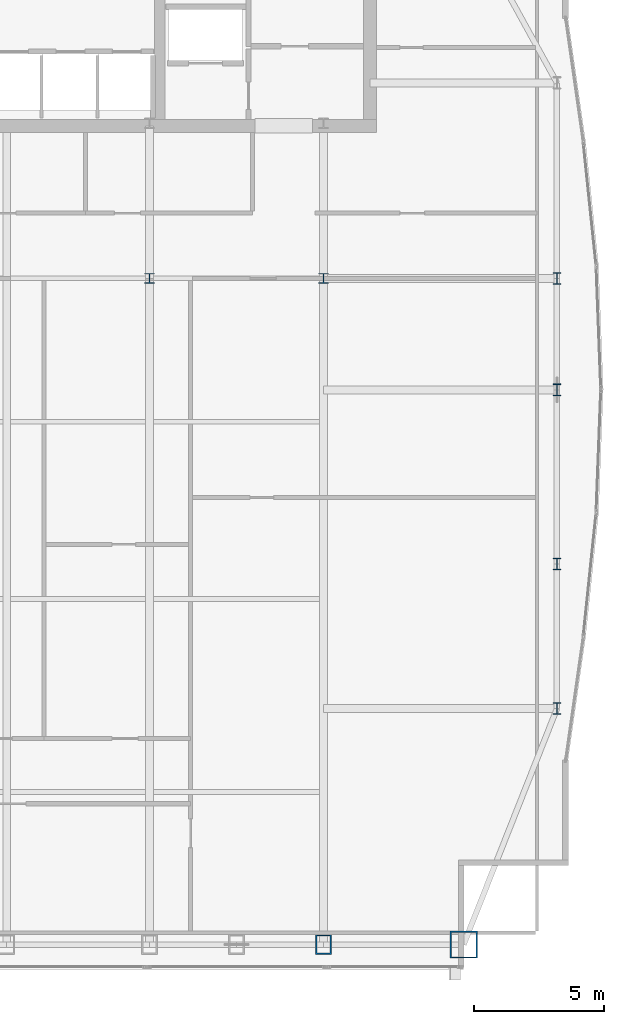
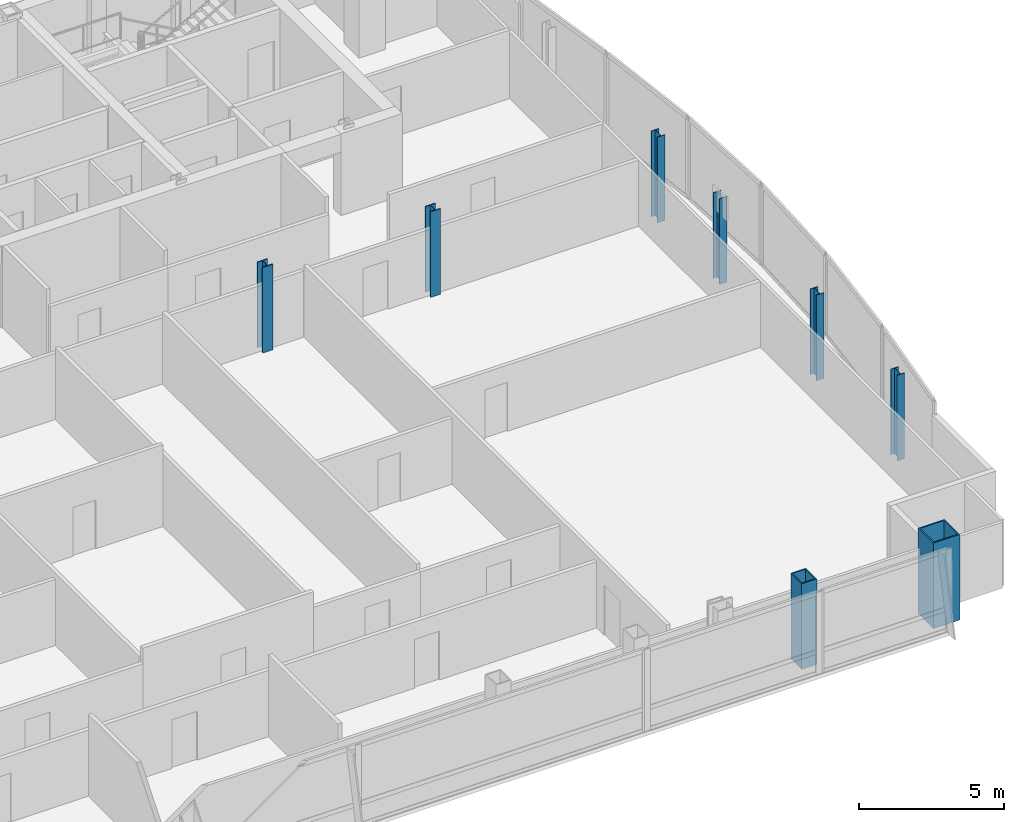
# One storey, part 2 of 30: 8 columns.
"""IFC4 building model written with IfcOpenShell, lengths in metres."""

from ifc_helpers import new_model, si_unit, direction, frame, origin, origin_2d, place, context, subcontext, project, spatial, hollow_rectangle, i_section, extrude, material, material_profile, profile_set, type_object, element, save


model = new_model("IFC4")

# Units and contexts
model_context = context("Model", 3, precision=1e-05, world=origin(), true_north=direction((0.0, 1.0)))
body_context = subcontext(model_context, "Body", "Model", "MODEL_VIEW")
ifc_project = project(units=[si_unit("LENGTHUNIT", "METRE"), si_unit("AREAUNIT", "SQUARE_METRE"), si_unit("VOLUMEUNIT", "CUBIC_METRE"), si_unit("PLANEANGLEUNIT", "RADIAN"), si_unit("MASSUNIT", "GRAM", prefix="KILO")], contexts=[model_context])

# Site, building, storey
site_placement = place(None, origin())
site = spatial("IfcSite", under=ifc_project, at=site_placement, CompositionType="ELEMENT")
building_placement = place(site_placement, origin())
building = spatial("IfcBuilding", under=site, at=building_placement, Name="Khoronbel Lancet Exchange", CompositionType="ELEMENT")
storey_placement = place(building_placement, frame((0.0, 0.0, 280.60009765625)))
storey = spatial("IfcBuildingStorey", under=building, at=storey_placement, Name="L72", CompositionType="ELEMENT", Elevation=280.60009765625)

# Columns
ifc_material_1 = material(Name="Steel S460", Category="steel")
ifc_material_profile_1 = material_profile(ifc_material_1, hollow_rectangle(XDim=0.60009765625, YDim=0.75, WallThickness=0.044921875, at=origin_2d()), Name="BOX 750x600x45")
ifc_profile_set_1 = profile_set([ifc_material_profile_1], Name="Steel S460")
column_type_1 = type_object("IfcColumnType", Name="COL-EC3", PredefinedType="COLUMN", material=ifc_profile_set_1)
column_1_placement = place(storey_placement, frame((54.675048828125, 10.14990234375, 0.0), z_axis=(0.0, 0.0, 1.0), x_axis=(1.0, 0.0, 0.0)))
element("IfcColumn", 1, at=column_1_placement, inside=storey, type_object=column_type_1, Name="Structural column SC-E2 L72", PredefinedType="COLUMN", context=body_context, shape_type="SweptSolid", body=[
    extrude(hollow_rectangle(XDim=0.60009765625, YDim=0.75, WallThickness=0.044921875, at=origin_2d()), origin(), (0.0, 0.0, 1.0), 3.599853515625),
])
ifc_material_2 = material(Name="Steel S355", Category="steel")
ifc_material_profile_2 = material_profile(ifc_material_2, i_section(OverallWidth=0.39892578125, OverallDepth=0.39306640625, WebThickness=0.022705078125, FlangeThickness=0.03662109375, at=origin_2d()), Name="HD 400x287")
ifc_profile_set_2 = profile_set([ifc_material_profile_2], Name="Steel S355")
column_type_2 = type_object("IfcColumnType", Name="COL-IC4", PredefinedType="COLUMN", material=ifc_profile_set_2)
for number, where, z_axis, x_axis, name in (
    (2, (48.0, 35.699951171875, 0.0), (0.0, 0.0, 1.0), (1.0, 0.0, 0.0), "Spine gravity column TC3 L72"),
    (3, (54.675048828125, 35.699951171875, 0.0), (0.0, 0.0, 1.0), (1.0, 0.0, 0.0), "Spine gravity column TC4 L72"),
):
    element("IfcColumn", number, at=place(storey_placement, frame(where, z_axis=z_axis, x_axis=x_axis)), inside=storey, type_object=column_type_2, Name=name, PredefinedType="COLUMN", context=body_context, shape_type="SweptSolid", body=[
        extrude(i_section(OverallWidth=0.39892578125, OverallDepth=0.39306640625, WebThickness=0.022705078125, FlangeThickness=0.03662109375, at=origin_2d()), origin(), (0.0, 0.0, 1.0), 3.599853515625),
    ])
ifc_material_profile_3 = material_profile(ifc_material_2, i_section(OverallWidth=0.300048828125, OverallDepth=0.449951171875, WebThickness=0.013916015625, FlangeThickness=0.02587890625, at=origin_2d()), Name="HEB 450")
ifc_profile_set_3 = profile_set([ifc_material_profile_3], Name="Steel S355")
column_type_3 = type_object("IfcColumnType", Name="COL-LC2", PredefinedType="COLUMN", material=ifc_profile_set_3)
for number, where, z_axis, x_axis, name in (
    (4, (63.6298828125, 19.199951171875, 0.0), (0.0, 0.0, 1.0), (1.0, 0.0, 0.0), "Structural column EC-1 L72"),
    (5, (63.6298828125, 24.75, 0.0), (0.0, 0.0, 1.0), (1.0, 0.0, 0.0), "Structural column EC-2 L72"),
    (6, (63.6298828125, 31.425048828125, 0.0), (0.0, 0.0, 1.0), (1.0, 0.0, 0.0), "Structural column EC-M L72"),
    (7, (63.6298828125, 35.699951171875, 0.0), (0.0, 0.0, 1.0), (1.0, 0.0, 0.0), "Structural column EC-3 L72"),
):
    element("IfcColumn", number, at=place(storey_placement, frame(where, z_axis=z_axis, x_axis=x_axis)), inside=storey, type_object=column_type_3, Name=name, PredefinedType="COLUMN", context=body_context, shape_type="SweptSolid", body=[
        extrude(i_section(OverallWidth=0.300048828125, OverallDepth=0.449951171875, WebThickness=0.013916015625, FlangeThickness=0.02587890625, at=origin_2d()), origin(), (0.0, 0.0, 1.0), 3.599853515625),
    ])
ifc_material_profile_4 = material_profile(ifc_material_1, hollow_rectangle(XDim=1.050048828125, YDim=1.050048828125, WallThickness=0.054931640625, at=origin_2d()), Name="BOX 1050x1050x55")
ifc_profile_set_4 = profile_set([ifc_material_profile_4], Name="Steel S460")
column_type_4 = type_object("IfcColumnType", Name="COL-MC6", PredefinedType="COLUMN", material=ifc_profile_set_4)
column_2_placement = place(storey_placement, frame((60.050048828125, 10.14990234375, 0.0), z_axis=(0.0, 0.0, 1.0), x_axis=(1.0, 0.0, 0.0)))
element("IfcColumn", 8, at=column_2_placement, inside=storey, type_object=column_type_4, Name="Structural column MC-SE L72", PredefinedType="COLUMN", context=body_context, shape_type="SweptSolid", body=[
    extrude(hollow_rectangle(XDim=1.050048828125, YDim=1.050048828125, WallThickness=0.054931640625, at=origin_2d()), origin(), (0.0, 0.0, 1.0), 3.599853515625),
])

save(model, "model.ifc")
